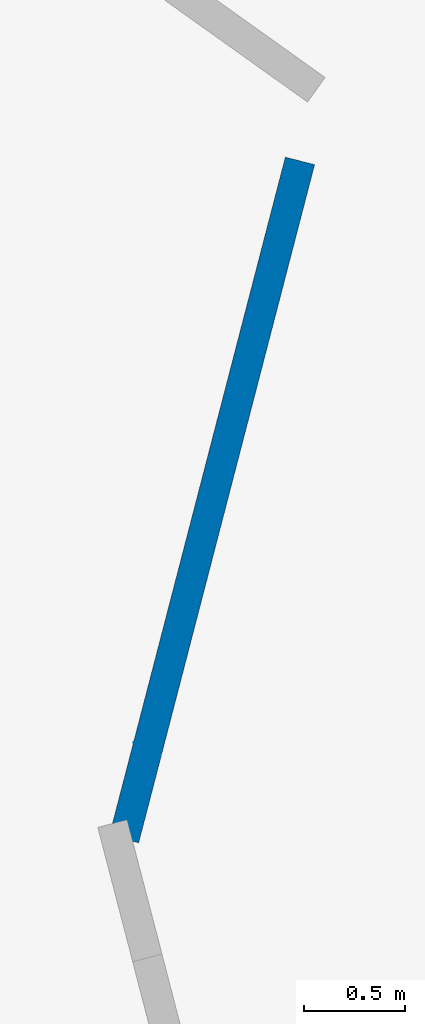
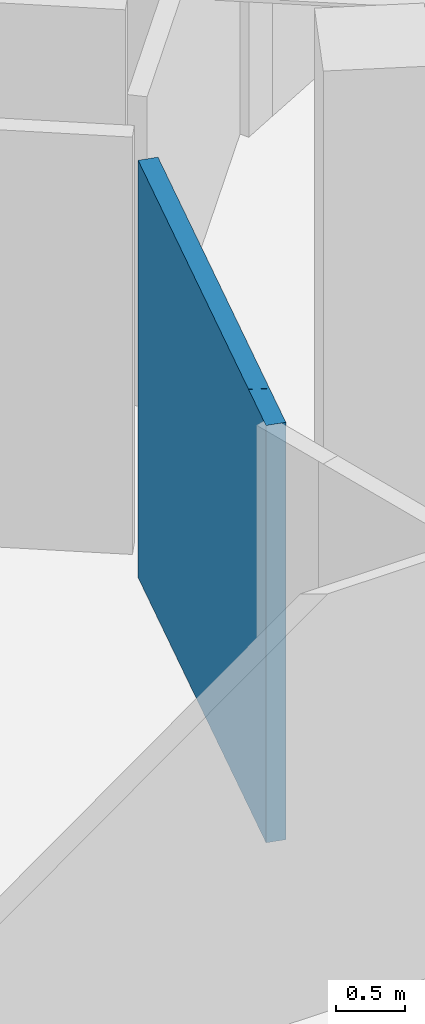
# One storey, part 5 of 20: 2 walls.
"""IFC4 building model written with IfcOpenShell, lengths in metres."""

from ifc_helpers import new_model, si_unit, direction, frame, frame_2d, origin, place, context, subcontext, project, spatial, rectangle, extrude, material, layer, layer_set, type_object, element, save


model = new_model("IFC4")

# Units and contexts
model_context = context("Model", 3, precision=1e-05, world=origin(), true_north=direction((0.0, 1.0)))
body_context = subcontext(model_context, "Body", "Model", "MODEL_VIEW")
ifc_project = project(units=[si_unit("LENGTHUNIT", "METRE"), si_unit("AREAUNIT", "SQUARE_METRE"), si_unit("VOLUMEUNIT", "CUBIC_METRE"), si_unit("PLANEANGLEUNIT", "RADIAN"), si_unit("MASSUNIT", "GRAM", prefix="KILO")], contexts=[model_context])

# Site, building, storey
site_placement = place(None, origin())
site = spatial("IfcSite", under=ifc_project, at=site_placement, CompositionType="ELEMENT")
building_placement = place(site_placement, origin())
building = spatial("IfcBuilding", under=site, at=building_placement, Name="Noorbagh Ring Tower", CompositionType="ELEMENT")
storey_placement = place(building_placement, frame((0.0, 0.0, 323.0)))
storey = spatial("IfcBuildingStorey", under=building, at=storey_placement, Name="L70", CompositionType="ELEMENT", Elevation=323.0)

# Walls
ifc_material = material(Name="Gypsum board on steel studs", Category="steel")
ifc_layer = layer(ifc_material, 0.14990234375)
ifc_layer_set = layer_set([ifc_layer], Name="Gypsum board on steel studs")
wall_type = type_object("IfcWallType", Name="CORRIDOR PARTITION 150 EI 30", PredefinedType="PARTITIONING", material=ifc_layer_set)
wall_1_placement = place(storey_placement, frame((-11.81103515625, 0.51708984375, 0.0), z_axis=(0.0, 0.0, 1.0), x_axis=(0.4472135955, 0.894427191, 0.0)))
element("IfcWall", 1, at=wall_1_placement, inside=storey, type_object=wall_type, Name="L70/wall/P29", PredefinedType="PARTITIONING", context=body_context, shape_type="SweptSolid", body=[
    extrude(rectangle(XDim=0.002197265625, YDim=0.14990234375, at=frame_2d((0.0009765625, 0.0))), origin(), (0.0, 0.0, 1.0), 3.699951171875),
])
wall_2_placement = place(storey_placement, frame((-11.926025390625, 0.072021484375, 0.0), z_axis=(0.0, 0.0, 1.0), x_axis=(0.251098315815, 0.967961587975, 0.0)))
element("IfcWall", 2, at=wall_2_placement, inside=storey, type_object=wall_type, Name="L70/wall/P33", PredefinedType="PARTITIONING", context=body_context, shape_type="SweptSolid", body=[
    extrude(rectangle(XDim=3.484619140625, YDim=0.14990234375, at=frame_2d((1.7421875, 0.0))), origin(), (0.0, 0.0, 1.0), 3.699951171875),
])

save(model, "model.ifc")
